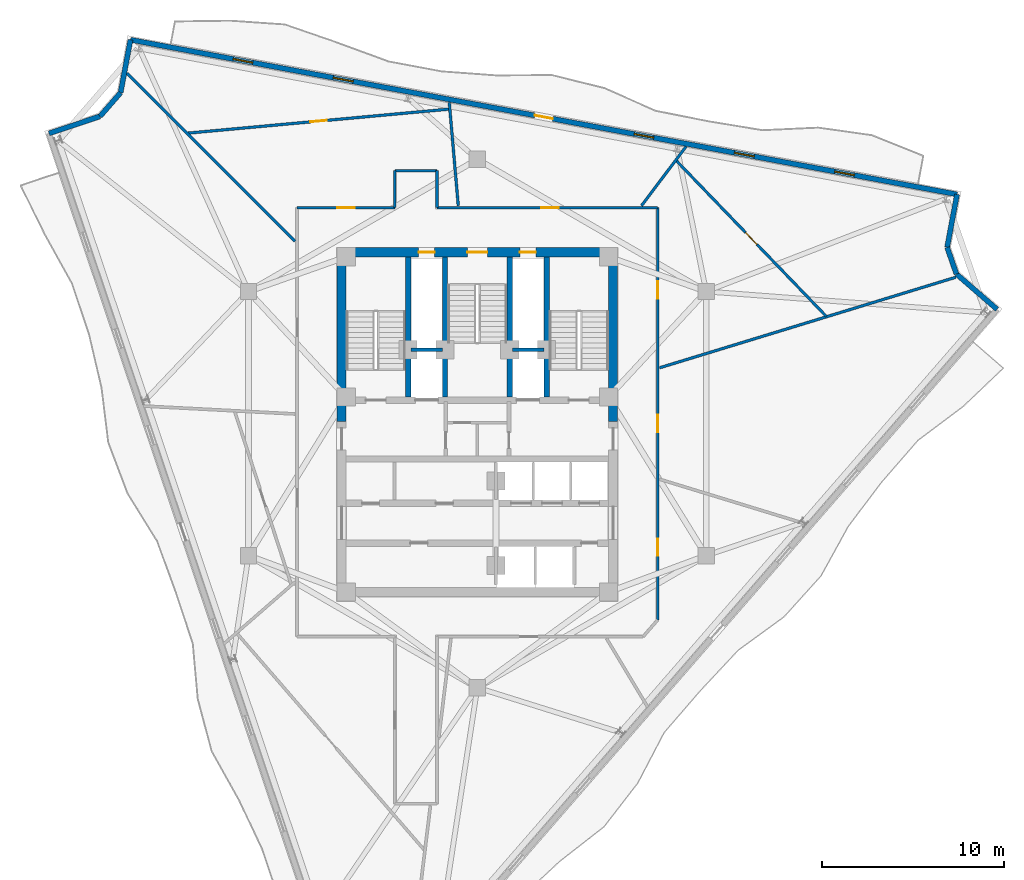
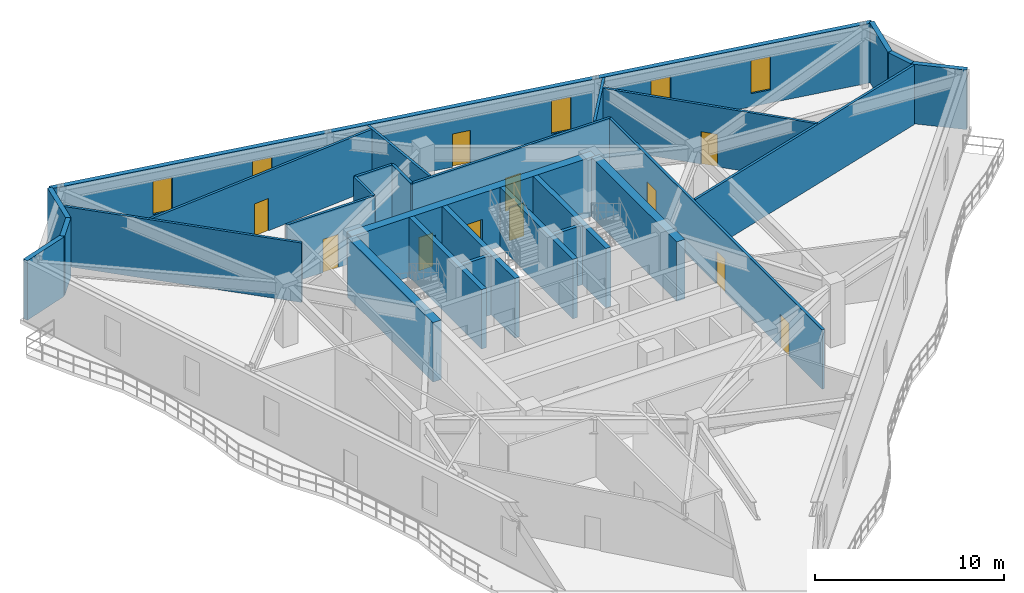
# One storey, part 6 of 11: 28 walls, 11 doors, 5 windows, 16 openings.
"""IFC4 building model written with IfcOpenShell, lengths in metres."""

from ifc_helpers import new_model, si_unit, direction, frame, frame_2d, origin, place, context, subcontext, project, spatial, rectangle, extrude, material, layer, layer_set, type_object, element, fill, save


model = new_model("IFC4")

# Units and contexts
model_context = context("Model", 3, precision=1e-05, world=origin(), true_north=direction((0.0, 1.0)))
body_context = subcontext(model_context, "Body", "Model", "MODEL_VIEW")
ifc_project = project(units=[si_unit("LENGTHUNIT", "METRE"), si_unit("AREAUNIT", "SQUARE_METRE"), si_unit("VOLUMEUNIT", "CUBIC_METRE"), si_unit("PLANEANGLEUNIT", "RADIAN"), si_unit("MASSUNIT", "GRAM", prefix="KILO")], contexts=[model_context])

# Site, building, storey
site_placement = place(None, origin())
site = spatial("IfcSite", under=ifc_project, at=site_placement, CompositionType="ELEMENT")
building_placement = place(site_placement, origin())
building = spatial("IfcBuilding", under=site, at=building_placement, Name="Apsidion Concourse Tower", CompositionType="ELEMENT")
storey_placement = place(building_placement, frame((0.0, 0.0, 281.89990234375)))
storey = spatial("IfcBuildingStorey", under=building, at=storey_placement, Name="L66", CompositionType="ELEMENT", Elevation=281.89990234375)

# Wall, openings, door, windows
ifc_material_1 = material(Name="Precast concrete C40/50", Category="concrete")
ifc_layer_1 = layer(ifc_material_1, 0.280029296875)
ifc_layer_set_1 = layer_set([ifc_layer_1], Name="Precast concrete C40/50")
wall_type_1 = type_object("IfcWallType", Name="WL-EXT-280", PredefinedType="STANDARD", material=ifc_layer_set_1)
wall_1_placement = place(storey_placement, frame((-19.04150390625, 21.06640625, 0.0), z_axis=(0.0, 0.0, 1.0), x_axis=(0.982948140881, -0.183882985453, 0.0)))
wall_1 = element("IfcWall", 1, at=wall_1_placement, inside=storey, type_object=wall_type_1, Name="L66 Precast Stone Facade Wall 01", PredefinedType="STANDARD", context=body_context, shape_type="SweptSolid", body=[
    extrude(rectangle(XDim=46.16259765625, YDim=0.280029296875, at=frame_2d((23.081298828125, 0.0))), origin(), (0.0, 0.0, 1.0), 3.85009765625),
])
opening_1_placement = place(wall_1_placement, frame((22.581298828125, 0.0, 0.0)))
opening_1 = element("IfcOpeningElement", 2, at=opening_1_placement, cuts=wall_1, Name="Opening D-T1L", PredefinedType="OPENING", context=body_context, shape_type="SweptSolid", body=[
    extrude(rectangle(XDim=1.0, YDim=2.14990234375, at=frame_2d((0.5, 1.074951171875))), frame((0.0, 0.14990234375, 0.0), z_axis=(0.0, -1.0, 0.0), x_axis=(1.0, 0.0, 0.0)), (0.0, 0.0, 1.0), 0.300048828125),
])
opening_2_placement = place(wall_1_placement, frame((5.731201171875, 0.0, 0.85009765625)))
opening_2 = element("IfcOpeningElement", 3, at=opening_2_placement, cuts=wall_1, Name="Opening WN-07", PredefinedType="OPENING", context=body_context, shape_type="SweptSolid", body=[
    extrude(rectangle(XDim=1.10009765625, YDim=2.14990234375, at=frame_2d((0.550048828125, 1.074951171875))), frame((0.0, 0.14990234375, 0.0), z_axis=(0.0, -1.0, 0.0), x_axis=(1.0, 0.0, 0.0)), (0.0, 0.0, 1.0), 0.300048828125),
])
opening_3_placement = place(wall_1_placement, frame((11.331298828125, 0.0, 0.85009765625)))
opening_3 = element("IfcOpeningElement", 4, at=opening_3_placement, cuts=wall_1, Name="Opening WN-07", PredefinedType="OPENING", context=body_context, shape_type="SweptSolid", body=[
    extrude(rectangle(XDim=1.10009765625, YDim=2.14990234375, at=frame_2d((0.550048828125, 1.074951171875))), frame((0.0, 0.14990234375, 0.0), z_axis=(0.0, -1.0, 0.0), x_axis=(1.0, 0.0, 0.0)), (0.0, 0.0, 1.0), 0.300048828125),
])
opening_4_placement = place(wall_1_placement, frame((28.13134765625, 0.0, 0.85009765625)))
opening_4 = element("IfcOpeningElement", 5, at=opening_4_placement, cuts=wall_1, Name="Opening WN-07", PredefinedType="OPENING", context=body_context, shape_type="SweptSolid", body=[
    extrude(rectangle(XDim=1.10009765625, YDim=2.14990234375, at=frame_2d((0.550048828125, 1.074951171875))), frame((0.0, 0.14990234375, 0.0), z_axis=(0.0, -1.0, 0.0), x_axis=(1.0, 0.0, 0.0)), (0.0, 0.0, 1.0), 0.300048828125),
])
opening_5_placement = place(wall_1_placement, frame((33.731201171875, 0.0, 0.85009765625)))
opening_5 = element("IfcOpeningElement", 6, at=opening_5_placement, cuts=wall_1, Name="Opening WN-07", PredefinedType="OPENING", context=body_context, shape_type="SweptSolid", body=[
    extrude(rectangle(XDim=1.10009765625, YDim=2.14990234375, at=frame_2d((0.550048828125, 1.074951171875))), frame((0.0, 0.14990234375, 0.0), z_axis=(0.0, -1.0, 0.0), x_axis=(1.0, 0.0, 0.0)), (0.0, 0.0, 1.0), 0.300048828125),
])
opening_6_placement = place(wall_1_placement, frame((39.331298828125, 0.0, 0.85009765625)))
opening_6 = element("IfcOpeningElement", 7, at=opening_6_placement, cuts=wall_1, Name="Opening WN-07", PredefinedType="OPENING", context=body_context, shape_type="SweptSolid", body=[
    extrude(rectangle(XDim=1.10009765625, YDim=2.14990234375, at=frame_2d((0.550048828125, 1.074951171875))), frame((0.0, 0.14990234375, 0.0), z_axis=(0.0, -1.0, 0.0), x_axis=(1.0, 0.0, 0.0)), (0.0, 0.0, 1.0), 0.300048828125),
])
ifc_material_2 = material(Name="Anodised aluminium EN AW-6063 T6", Category="aluminium")
door_type_1 = type_object("IfcDoorType", Name="DR-TER-1022L", OperationType="SINGLE_SWING_LEFT", PredefinedType="DOOR", material=ifc_material_2)
door_1_placement = place(opening_1_placement, origin())
door_1 = element("IfcDoor", 8, at=door_1_placement, inside=storey, type_object=door_type_1, Name="L66 Balcony Access Door 3", OperationType="SINGLE_SWING_LEFT", OverallHeight=2.14990234375, OverallWidth=1.0, PredefinedType="DOOR", context=body_context, shape_type="SweptSolid", body=[
    extrude(rectangle(XDim=1.0, YDim=2.14990234375, at=frame_2d((0.5, 1.074951171875))), frame((0.0, 0.02490234375, 0.0), z_axis=(0.0, -1.0, 0.0), x_axis=(1.0, 0.0, 0.0)), (0.0, 0.0, 1.0), 0.050048828125),
])
fill(opening_1, door_1)
ifc_material_3 = material(Name="Insulated laminated low-E glass", Category="glass")
window_type = type_object("IfcWindowType", Name="WN-OFF-1123", PartitioningType="SINGLE_PANEL", PredefinedType="WINDOW", material=ifc_material_3)
window_1_placement = place(opening_2_placement, origin())
window_1 = element("IfcWindow", 9, at=window_1_placement, inside=storey, type_object=window_type, Name="L66 Punched Facade Window 1-01", OverallHeight=2.14990234375, OverallWidth=1.10009765625, PartitioningType="SINGLE_PANEL", PredefinedType="WINDOW", context=body_context, shape_type="SweptSolid", body=[
    extrude(rectangle(XDim=1.10009765625, YDim=2.14990234375, at=frame_2d((0.550048828125, 1.074951171875))), frame((0.0, 0.030029296875, 0.0), z_axis=(0.0, -1.0, 0.0), x_axis=(1.0, 0.0, 0.0)), (0.0, 0.0, 1.0), 0.06005859375),
])
fill(opening_2, window_1)
window_2_placement = place(opening_3_placement, origin())
window_2 = element("IfcWindow", 10, at=window_2_placement, inside=storey, type_object=window_type, Name="L66 Punched Facade Window 1-02", OverallHeight=2.14990234375, OverallWidth=1.10009765625, PartitioningType="SINGLE_PANEL", PredefinedType="WINDOW", context=body_context, shape_type="SweptSolid", body=[
    extrude(rectangle(XDim=1.10009765625, YDim=2.14990234375, at=frame_2d((0.550048828125, 1.074951171875))), frame((0.0, 0.030029296875, 0.0), z_axis=(0.0, -1.0, 0.0), x_axis=(1.0, 0.0, 0.0)), (0.0, 0.0, 1.0), 0.06005859375),
])
fill(opening_3, window_2)
window_3_placement = place(opening_4_placement, origin())
window_3 = element("IfcWindow", 11, at=window_3_placement, inside=storey, type_object=window_type, Name="L66 Punched Facade Window 1-05", OverallHeight=2.14990234375, OverallWidth=1.10009765625, PartitioningType="SINGLE_PANEL", PredefinedType="WINDOW", context=body_context, shape_type="SweptSolid", body=[
    extrude(rectangle(XDim=1.10009765625, YDim=2.14990234375, at=frame_2d((0.550048828125, 1.074951171875))), frame((0.0, 0.030029296875, 0.0), z_axis=(0.0, -1.0, 0.0), x_axis=(1.0, 0.0, 0.0)), (0.0, 0.0, 1.0), 0.06005859375),
])
fill(opening_4, window_3)
window_4_placement = place(opening_5_placement, origin())
window_4 = element("IfcWindow", 12, at=window_4_placement, inside=storey, type_object=window_type, Name="L66 Punched Facade Window 1-06", OverallHeight=2.14990234375, OverallWidth=1.10009765625, PartitioningType="SINGLE_PANEL", PredefinedType="WINDOW", context=body_context, shape_type="SweptSolid", body=[
    extrude(rectangle(XDim=1.10009765625, YDim=2.14990234375, at=frame_2d((0.550048828125, 1.074951171875))), frame((0.0, 0.030029296875, 0.0), z_axis=(0.0, -1.0, 0.0), x_axis=(1.0, 0.0, 0.0)), (0.0, 0.0, 1.0), 0.06005859375),
])
fill(opening_5, window_4)
window_5_placement = place(opening_6_placement, origin())
window_5 = element("IfcWindow", 13, at=window_5_placement, inside=storey, type_object=window_type, Name="L66 Punched Facade Window 1-07", OverallHeight=2.14990234375, OverallWidth=1.10009765625, PartitioningType="SINGLE_PANEL", PredefinedType="WINDOW", context=body_context, shape_type="SweptSolid", body=[
    extrude(rectangle(XDim=1.10009765625, YDim=2.14990234375, at=frame_2d((0.550048828125, 1.074951171875))), frame((0.0, 0.030029296875, 0.0), z_axis=(0.0, -1.0, 0.0), x_axis=(1.0, 0.0, 0.0)), (0.0, 0.0, 1.0), 0.06005859375),
])
fill(opening_6, window_5)

# Walls
wall_2_placement = place(storey_placement, frame((26.333984375, 12.577880859375, 0.0), z_axis=(0.0, 0.0, 1.0), x_axis=(-0.183929325972, -0.982939470694, 0.0)))
element("IfcWall", 14, at=wall_2_placement, inside=storey, type_object=wall_type_1, Name="L66 Precast Stone Facade Wall 02", PredefinedType="STANDARD", context=body_context, shape_type="SweptSolid", body=[
    extrude(rectangle(XDim=2.95458984375, YDim=0.280029296875, at=frame_2d((1.477294921875, 0.0))), origin(), (0.0, 0.0, 1.0), 3.85009765625),
])
wall_3_placement = place(storey_placement, frame((25.79052734375, 9.673583984375, 0.0), z_axis=(0.0, 0.0, 1.0), x_axis=(0.328922695325, -0.944356850189, 0.0)))
element("IfcWall", 15, at=wall_3_placement, inside=storey, type_object=wall_type_1, Name="L66 Precast Stone Facade Wall 03", PredefinedType="STANDARD", context=body_context, shape_type="SweptSolid", body=[
    extrude(rectangle(XDim=1.55419921875, YDim=0.280029296875, at=frame_2d((0.777099609375, 0.0))), origin(), (0.0, 0.0, 1.0), 3.85009765625),
])
wall_4_placement = place(storey_placement, frame((26.3017578125, 8.205810546875, 0.0), z_axis=(0.0, 0.0, 1.0), x_axis=(0.754717590568, -0.656049814028, 0.0)))
element("IfcWall", 16, at=wall_4_placement, inside=storey, type_object=wall_type_1, Name="L66 Precast Stone Facade Wall 04", PredefinedType="STANDARD", context=body_context, shape_type="SweptSolid", body=[
    extrude(rectangle(XDim=2.954345703125, YDim=0.280029296875, at=frame_2d((1.47705078125, 0.0))), origin(), (0.0, 0.0, 1.0), 3.85009765625),
])
wall_5_placement = place(storey_placement, frame((-23.511474609375, 15.92431640625, 0.0), z_axis=(0.0, 0.0, 1.0), x_axis=(0.9478040536, 0.31885337693, 0.0)))
element("IfcWall", 17, at=wall_5_placement, inside=storey, type_object=wall_type_1, Name="L66 Precast Stone Facade Wall 10", PredefinedType="STANDARD", context=body_context, shape_type="SweptSolid", body=[
    extrude(rectangle(XDim=2.95556640625, YDim=0.280029296875, at=frame_2d((1.477783203125, 0.0))), origin(), (0.0, 0.0, 1.0), 3.85009765625),
])
wall_6_placement = place(storey_placement, frame((-20.710205078125, 16.86669921875, 0.0), z_axis=(0.0, 0.0, 1.0), x_axis=(0.656062411204, 0.754706640096, 0.0)))
element("IfcWall", 18, at=wall_6_placement, inside=storey, type_object=wall_type_1, Name="L66 Precast Stone Facade Wall 11", PredefinedType="STANDARD", context=body_context, shape_type="SweptSolid", body=[
    extrude(rectangle(XDim=1.715087890625, YDim=0.280029296875, at=frame_2d((0.857421875, 0.0))), origin(), (0.0, 0.0, 1.0), 3.85009765625),
])
wall_7_placement = place(storey_placement, frame((-19.5849609375, 18.1611328125, 0.0), z_axis=(0.0, 0.0, 1.0), x_axis=(0.183869591509, 0.982950646431, 0.0)))
element("IfcWall", 19, at=wall_7_placement, inside=storey, type_object=wall_type_1, Name="L66 Precast Stone Facade Wall 12", PredefinedType="STANDARD", context=body_context, shape_type="SweptSolid", body=[
    extrude(rectangle(XDim=2.95556640625, YDim=0.280029296875, at=frame_2d((1.477783203125, 0.0))), origin(), (0.0, 0.0, 1.0), 3.85009765625),
])

# Wall, opening, door
ifc_material_4 = material(Name="Gypsum plasterboard partition")
ifc_layer_2 = layer(ifc_material_4, 0.14990234375)
ifc_layer_set_2 = layer_set([ifc_layer_2], Name="Gypsum plasterboard partition")
wall_type_2 = type_object("IfcWallType", Name="WL-INT-PAR-150", PredefinedType="PARTITIONING", material=ifc_layer_set_2)
wall_8_placement = place(storey_placement, frame((-9.89990234375, 11.85009765625, 0.0), z_axis=(0.0, 0.0, 1.0), x_axis=(1.0, 0.0, 0.0)))
wall_8 = element("IfcWall", 20, at=wall_8_placement, inside=storey, type_object=wall_type_2, Name="L66 Interior Partition WL-L66-CORR-03", PredefinedType="PARTITIONING", context=body_context, shape_type="SweptSolid", body=[
    extrude(rectangle(XDim=5.369873046875, YDim=0.14990234375, at=frame_2d((2.68505859375, 0.0))), origin(), (0.0, 0.0, 1.0), 3.85009765625),
])
opening_7_placement = place(wall_8_placement, frame((2.2099609375, 0.0, 0.0)))
opening_7 = element("IfcOpeningElement", 21, at=opening_7_placement, cuts=wall_8, Name="Opening D-01R", PredefinedType="OPENING", context=body_context, shape_type="SweptSolid", body=[
    extrude(rectangle(XDim=0.949951171875, YDim=2.14990234375, at=frame_2d((0.47509765625, 1.074951171875))), frame((0.0, 0.0849609375, 0.0), z_axis=(0.0, -1.0, 0.0), x_axis=(1.0, 0.0, 0.0)), (0.0, 0.0, 1.0), 0.169921875),
])
ifc_material_5 = material(Name="Brushed stainless steel 316", Category="steel")
door_type_2 = type_object("IfcDoorType", Name="DR-INT-D01R", OperationType="SINGLE_SWING_RIGHT", PredefinedType="DOOR", material=ifc_material_5)
door_2_placement = place(opening_7_placement, origin())
door_2 = element("IfcDoor", 22, at=door_2_placement, inside=storey, type_object=door_type_2, Name="L66 Corridor Entry Door 08", OperationType="SINGLE_SWING_RIGHT", OverallHeight=2.14990234375, OverallWidth=0.949951171875, PredefinedType="DOOR", context=body_context, shape_type="SweptSolid", body=[
    extrude(rectangle(XDim=0.949951171875, YDim=2.14990234375, at=frame_2d((0.47509765625, 1.074951171875))), frame((0.0, 0.02490234375, 0.0), z_axis=(0.0, -1.0, 0.0), x_axis=(1.0, 0.0, 0.0)), (0.0, 0.0, 1.0), 0.050048828125),
])
fill(opening_7, door_2)

# Walls
wall_9_placement = place(storey_placement, frame((-4.530029296875, 11.85009765625, 0.0), z_axis=(0.0, 0.0, 1.0), x_axis=(0.0, 1.0, 0.0)))
element("IfcWall", 23, at=wall_9_placement, inside=storey, type_object=wall_type_2, Name="L66 Interior Partition WL-L66-CORR-04", PredefinedType="PARTITIONING", context=body_context, shape_type="SweptSolid", body=[
    extrude(rectangle(XDim=2.02978515625, YDim=0.14990234375, at=frame_2d((1.014892578125, 0.0))), origin(), (0.0, 0.0, 1.0), 3.85009765625),
])
wall_10_placement = place(storey_placement, frame((-4.530029296875, 13.8798828125, 0.0), z_axis=(0.0, 0.0, 1.0), x_axis=(1.0, 0.0, 0.0)))
element("IfcWall", 24, at=wall_10_placement, inside=storey, type_object=wall_type_2, Name="L66 Interior Partition WL-L66-CORR-05", PredefinedType="PARTITIONING", context=body_context, shape_type="SweptSolid", body=[
    extrude(rectangle(XDim=2.31005859375, YDim=0.14990234375, at=frame_2d((1.155029296875, 0.0))), origin(), (0.0, 0.0, 1.0), 3.85009765625),
])
wall_11_placement = place(storey_placement, frame((-2.219970703125, 13.8798828125, 0.0), z_axis=(0.0, 0.0, 1.0), x_axis=(0.0, -1.0, 0.0)))
element("IfcWall", 25, at=wall_11_placement, inside=storey, type_object=wall_type_2, Name="L66 Interior Partition WL-L66-CORR-06", PredefinedType="PARTITIONING", context=body_context, shape_type="SweptSolid", body=[
    extrude(rectangle(XDim=2.02978515625, YDim=0.14990234375, at=frame_2d((1.014892578125, 0.0))), origin(), (0.0, 0.0, 1.0), 3.85009765625),
])

# Wall, opening, door
wall_12_placement = place(storey_placement, frame((-2.219970703125, 11.85009765625, 0.0), z_axis=(0.0, 0.0, 1.0), x_axis=(1.0, 0.0, 0.0)))
wall_12 = element("IfcWall", 26, at=wall_12_placement, inside=storey, type_object=wall_type_2, Name="L66 Interior Partition WL-L66-CORR-07", PredefinedType="PARTITIONING", context=body_context, shape_type="SweptSolid", body=[
    extrude(rectangle(XDim=12.119873046875, YDim=0.14990234375, at=frame_2d((6.06005859375, 0.0))), origin(), (0.0, 0.0, 1.0), 3.85009765625),
])
opening_8_placement = place(wall_12_placement, frame((5.726806640625, 0.0, 0.0)))
opening_8 = element("IfcOpeningElement", 27, at=opening_8_placement, cuts=wall_12, Name="Opening D-01L", PredefinedType="OPENING", context=body_context, shape_type="SweptSolid", body=[
    extrude(rectangle(XDim=0.949951171875, YDim=2.14990234375, at=frame_2d((0.47509765625, 1.074951171875))), frame((0.0, 0.0849609375, 0.0), z_axis=(0.0, -1.0, 0.0), x_axis=(1.0, 0.0, 0.0)), (0.0, 0.0, 1.0), 0.169921875),
])
door_type_3 = type_object("IfcDoorType", Name="DR-INT-D01L", OperationType="SINGLE_SWING_LEFT", PredefinedType="DOOR", material=ifc_material_5)
door_3_placement = place(opening_8_placement, origin())
door_3 = element("IfcDoor", 28, at=door_3_placement, inside=storey, type_object=door_type_3, Name="L66 Corridor Entry Door 07", OperationType="SINGLE_SWING_LEFT", OverallHeight=2.14990234375, OverallWidth=0.949951171875, PredefinedType="DOOR", context=body_context, shape_type="SweptSolid", body=[
    extrude(rectangle(XDim=0.949951171875, YDim=2.14990234375, at=frame_2d((0.47509765625, 1.074951171875))), frame((0.0, 0.02490234375, 0.0), z_axis=(0.0, -1.0, 0.0), x_axis=(1.0, 0.0, 0.0)), (0.0, 0.0, 1.0), 0.050048828125),
])
fill(opening_8, door_3)

# Wall, openings, doors
wall_13_placement = place(storey_placement, frame((9.89990234375, 11.85009765625, 0.0), z_axis=(0.0, 0.0, 1.0), x_axis=(0.0, -1.0, 0.0)))
wall_13 = element("IfcWall", 29, at=wall_13_placement, inside=storey, type_object=wall_type_2, Name="L66 Interior Partition WL-L66-CORR-08", PredefinedType="PARTITIONING", context=body_context, shape_type="SweptSolid", body=[
    extrude(rectangle(XDim=22.633544921875, YDim=0.14990234375, at=frame_2d((11.31689453125, 0.0))), origin(), (0.0, 0.0, 1.0), 3.85009765625),
])
opening_9_placement = place(wall_13_placement, frame((18.166015625, 0.0, 0.0)))
opening_9 = element("IfcOpeningElement", 30, at=opening_9_placement, cuts=wall_13, Name="Opening D-01R", PredefinedType="OPENING", context=body_context, shape_type="SweptSolid", body=[
    extrude(rectangle(XDim=0.949951171875, YDim=2.14990234375, at=frame_2d((0.47509765625, 1.074951171875))), frame((0.0, 0.0849609375, 0.0), z_axis=(0.0, -1.0, 0.0), x_axis=(1.0, 0.0, 0.0)), (0.0, 0.0, 1.0), 0.169921875),
])
opening_10_placement = place(wall_13_placement, frame((11.3759765625, 0.0, 0.0)))
opening_10 = element("IfcOpeningElement", 31, at=opening_10_placement, cuts=wall_13, Name="Opening D-01L", PredefinedType="OPENING", context=body_context, shape_type="SweptSolid", body=[
    extrude(rectangle(XDim=0.949951171875, YDim=2.14990234375, at=frame_2d((0.47509765625, 1.074951171875))), frame((0.0, 0.0849609375, 0.0), z_axis=(0.0, -1.0, 0.0), x_axis=(1.0, 0.0, 0.0)), (0.0, 0.0, 1.0), 0.169921875),
])
opening_11_placement = place(wall_13_placement, frame((4.04931640625, 0.0, 0.0)))
opening_11 = element("IfcOpeningElement", 32, at=opening_11_placement, cuts=wall_13, Name="Opening D-01R", PredefinedType="OPENING", context=body_context, shape_type="SweptSolid", body=[
    extrude(rectangle(XDim=0.949951171875, YDim=2.14990234375, at=frame_2d((0.47509765625, 1.074951171875))), frame((0.0, 0.0849609375, 0.0), z_axis=(0.0, -1.0, 0.0), x_axis=(1.0, 0.0, 0.0)), (0.0, 0.0, 1.0), 0.169921875),
])
door_4_placement = place(opening_10_placement, origin())
door_4 = element("IfcDoor", 33, at=door_4_placement, inside=storey, type_object=door_type_3, Name="L66 Corridor Entry Door 05", OperationType="SINGLE_SWING_LEFT", OverallHeight=2.14990234375, OverallWidth=0.949951171875, PredefinedType="DOOR", context=body_context, shape_type="SweptSolid", body=[
    extrude(rectangle(XDim=0.949951171875, YDim=2.14990234375, at=frame_2d((0.47509765625, 1.074951171875))), frame((0.0, 0.02490234375, 0.0), z_axis=(0.0, -1.0, 0.0), x_axis=(1.0, 0.0, 0.0)), (0.0, 0.0, 1.0), 0.050048828125),
])
fill(opening_10, door_4)
door_5_placement = place(opening_9_placement, origin())
door_5 = element("IfcDoor", 34, at=door_5_placement, inside=storey, type_object=door_type_2, Name="L66 Corridor Entry Door 04", OperationType="SINGLE_SWING_RIGHT", OverallHeight=2.14990234375, OverallWidth=0.949951171875, PredefinedType="DOOR", context=body_context, shape_type="SweptSolid", body=[
    extrude(rectangle(XDim=0.949951171875, YDim=2.14990234375, at=frame_2d((0.47509765625, 1.074951171875))), frame((0.0, 0.02490234375, 0.0), z_axis=(0.0, -1.0, 0.0), x_axis=(1.0, 0.0, 0.0)), (0.0, 0.0, 1.0), 0.050048828125),
])
fill(opening_9, door_5)
door_6_placement = place(opening_11_placement, origin())
door_6 = element("IfcDoor", 35, at=door_6_placement, inside=storey, type_object=door_type_2, Name="L66 Corridor Entry Door 06", OperationType="SINGLE_SWING_RIGHT", OverallHeight=2.14990234375, OverallWidth=0.949951171875, PredefinedType="DOOR", context=body_context, shape_type="SweptSolid", body=[
    extrude(rectangle(XDim=0.949951171875, YDim=2.14990234375, at=frame_2d((0.47509765625, 1.074951171875))), frame((0.0, 0.02490234375, 0.0), z_axis=(0.0, -1.0, 0.0), x_axis=(1.0, 0.0, 0.0)), (0.0, 0.0, 1.0), 0.050048828125),
])
fill(opening_11, door_6)

# Walls
wall_14_placement = place(storey_placement, frame((10.0048828125, 3.058837890625, 0.0), z_axis=(0.0, 0.0, 1.0), x_axis=(0.956303634786, 0.292375371902, 0.0)))
element("IfcWall", 36, at=wall_14_placement, inside=storey, type_object=wall_type_2, Name="L66 Interior Partition WL-L66-RAD-01-1", PredefinedType="PARTITIONING", context=body_context, shape_type="SweptSolid", body=[
    extrude(rectangle(XDim=17.00537109375, YDim=0.14990234375, at=frame_2d((8.502685546875, 0.0))), origin(), (0.0, 0.0, 1.0), 3.85009765625),
])
wall_15_placement = place(storey_placement, frame((9.0087890625, 11.955078125, 0.0), z_axis=(0.0, 0.0, 1.0), x_axis=(0.601813620509, 0.798636567013, 0.0)))
element("IfcWall", 37, at=wall_15_placement, inside=storey, type_object=wall_type_2, Name="L66 Interior Partition WL-L66-RAD-02-1", PredefinedType="PARTITIONING", context=body_context, shape_type="SweptSolid", body=[
    extrude(rectangle(XDim=4.0673828125, YDim=0.14990234375, at=frame_2d((2.03369140625, 0.0))), origin(), (0.0, 0.0, 1.0), 3.85009765625),
])
wall_16_placement = place(storey_placement, frame((-1.0458984375, 11.955078125, 0.0), z_axis=(0.0, 0.0, 1.0), x_axis=(-0.087176511024, 0.996192880885, 0.0)))
element("IfcWall", 38, at=wall_16_placement, inside=storey, type_object=wall_type_2, Name="L66 Interior Partition WL-L66-RAD-03-1", PredefinedType="PARTITIONING", context=body_context, shape_type="SweptSolid", body=[
    extrude(rectangle(XDim=5.701904296875, YDim=0.14990234375, at=frame_2d((2.85107421875, 0.0))), origin(), (0.0, 0.0, 1.0), 3.85009765625),
])
wall_17_placement = place(storey_placement, frame((-10.0048828125, 10.0048828125, 0.0), z_axis=(0.0, 0.0, 1.0), x_axis=(-0.707106781187, 0.707106781187, 0.0)))
element("IfcWall", 39, at=wall_17_placement, inside=storey, type_object=wall_type_2, Name="L66 Interior Partition WL-L66-RAD-04-1", PredefinedType="PARTITIONING", context=body_context, shape_type="SweptSolid", body=[
    extrude(rectangle(XDim=13.043212890625, YDim=0.14990234375, at=frame_2d((6.521484375, 0.0))), origin(), (0.0, 0.0, 1.0), 3.85009765625),
])

# Wall, opening, door
wall_18_placement = place(storey_placement, frame((19.15625, 5.8828125, 0.0), z_axis=(0.0, 0.0, 1.0), x_axis=(-0.693802772862, 0.720165059114, 0.0)))
wall_18 = element("IfcWall", 40, at=wall_18_placement, inside=storey, type_object=wall_type_2, Name="L66 Interior Partition WL-L66-CHD-OFS05", PredefinedType="PARTITIONING", context=body_context, shape_type="SweptSolid", body=[
    extrude(rectangle(XDim=11.8818359375, YDim=0.14990234375, at=frame_2d((5.94091796875, 0.0))), origin(), (0.0, 0.0, 1.0), 3.85009765625),
])
opening_12_placement = place(wall_18_placement, frame((5.490966796875, 0.0, 0.0)))
opening_12 = element("IfcOpeningElement", 41, at=opening_12_placement, cuts=wall_18, Name="Opening D-02R", PredefinedType="OPENING", context=body_context, shape_type="SweptSolid", body=[
    extrude(rectangle(XDim=0.89990234375, YDim=2.10009765625, at=frame_2d((0.449951171875, 1.050048828125))), frame((0.0, 0.0849609375, 0.0), z_axis=(0.0, -1.0, 0.0), x_axis=(1.0, 0.0, 0.0)), (0.0, 0.0, 1.0), 0.169921875),
])
door_type_4 = type_object("IfcDoorType", Name="DR-INT-D02R", OperationType="SINGLE_SWING_RIGHT", PredefinedType="DOOR", material=ifc_material_2)
door_7_placement = place(opening_12_placement, origin())
door_7 = element("IfcDoor", 42, at=door_7_placement, inside=storey, type_object=door_type_4, Name="L66 Suite Connecting Door OFS05", OperationType="SINGLE_SWING_RIGHT", OverallHeight=2.10009765625, OverallWidth=0.89990234375, PredefinedType="DOOR", context=body_context, shape_type="SweptSolid", body=[
    extrude(rectangle(XDim=0.89990234375, YDim=2.10009765625, at=frame_2d((0.449951171875, 1.050048828125))), frame((0.0, 0.02490234375, 0.0), z_axis=(0.0, -1.0, 0.0), x_axis=(1.0, 0.0, 0.0)), (0.0, 0.0, 1.0), 0.050048828125),
])
fill(opening_12, door_7)

wall_19_placement = place(storey_placement, frame((-1.535400390625, 17.26123046875, 0.0), z_axis=(0.0, 0.0, 1.0), x_axis=(-0.995795553335, -0.091603580483, 0.0)))
wall_19 = element("IfcWall", 43, at=wall_19_placement, inside=storey, type_object=wall_type_2, Name="L66 Interior Partition WL-L66-CHD-OFS07", PredefinedType="PARTITIONING", context=body_context, shape_type="SweptSolid", body=[
    extrude(rectangle(XDim=14.42919921875, YDim=0.14990234375, at=frame_2d((7.214599609375, 0.0))), origin(), (0.0, 0.0, 1.0), 3.85009765625),
])
opening_13_placement = place(wall_19_placement, frame((6.7646484375, 0.0, 0.0)))
opening_13 = element("IfcOpeningElement", 44, at=opening_13_placement, cuts=wall_19, Name="Opening D-02R", PredefinedType="OPENING", context=body_context, shape_type="SweptSolid", body=[
    extrude(rectangle(XDim=0.89990234375, YDim=2.10009765625, at=frame_2d((0.449951171875, 1.050048828125))), frame((0.0, 0.0849609375, 0.0), z_axis=(0.0, -1.0, 0.0), x_axis=(1.0, 0.0, 0.0)), (0.0, 0.0, 1.0), 0.169921875),
])
door_8_placement = place(opening_13_placement, origin())
door_8 = element("IfcDoor", 45, at=door_8_placement, inside=storey, type_object=door_type_4, Name="L66 Suite Connecting Door OFS07", OperationType="SINGLE_SWING_RIGHT", OverallHeight=2.10009765625, OverallWidth=0.89990234375, PredefinedType="DOOR", context=body_context, shape_type="SweptSolid", body=[
    extrude(rectangle(XDim=0.89990234375, YDim=2.10009765625, at=frame_2d((0.449951171875, 1.050048828125))), frame((0.0, 0.02490234375, 0.0), z_axis=(0.0, -1.0, 0.0), x_axis=(1.0, 0.0, 0.0)), (0.0, 0.0, 1.0), 0.050048828125),
])
fill(opening_13, door_8)

# Walls
ifc_layer_3 = layer(ifc_material_4, 0.199951171875)
ifc_layer_set_3 = layer_set([ifc_layer_3], Name="Gypsum plasterboard partition")
wall_type_3 = type_object("IfcWallType", Name="WL-INT-PAR-200", PredefinedType="PARTITIONING", material=ifc_layer_set_3)
for number, where, z_axis, x_axis, name in (
    (46, (-3.64990234375, 4.050048828125, 0.0), (0.0, 0.0, 1.0), (1.0, 0.0, 0.0), "L66 Interior Partition WL-L66-FF1-N"),
    (47, (1.919921875, 4.050048828125, 0.0), (0.0, 0.0, 1.0), (1.0, 0.0, 0.0), "L66 Interior Partition WL-L66-FF2-N"),
):
    element("IfcWall", number, at=place(storey_placement, frame(where, z_axis=z_axis, x_axis=x_axis)), inside=storey, type_object=wall_type_3, Name=name, PredefinedType="PARTITIONING", context=body_context, shape_type="SweptSolid", body=[
        extrude(rectangle(XDim=1.72998046875, YDim=0.199951171875, at=frame_2d((0.864990234375, 0.0))), origin(), (0.0, 0.0, 1.0), 3.85009765625),
    ])
ifc_material_6 = material(Name="Concrete C50/60", Category="concrete")
ifc_layer_4 = layer(ifc_material_6, 0.300048828125)
ifc_layer_set_4 = layer_set([ifc_layer_4], Name="Concrete C50/60")
wall_type_4 = type_object("IfcWallType", Name="WL-SH-300", PredefinedType="SHEAR", material=ifc_layer_set_4)
for number, where, z_axis, x_axis, name in (
    (48, (-3.800048828125, 1.449951171875, 0.0), (0.0, 0.0, 1.0), (0.0, 1.0, 0.0), "L66 Central Core Shear Wall V1"),
    (49, (-1.77490234375, 1.449951171875, 0.0), (0.0, 0.0, 1.0), (0.0, 1.0, 0.0), "L66 Central Core Shear Wall V2"),
    (50, (1.77490234375, 1.449951171875, 0.0), (0.0, 0.0, 1.0), (0.0, 1.0, 0.0), "L66 Central Core Shear Wall V3"),
    (51, (3.800048828125, 1.449951171875, 0.0), (0.0, 0.0, 1.0), (0.0, 1.0, 0.0), "L66 Central Core Shear Wall V4"),
):
    element("IfcWall", number, at=place(storey_placement, frame(where, z_axis=z_axis, x_axis=x_axis)), inside=storey, type_object=wall_type_4, Name=name, PredefinedType="SHEAR", context=body_context, shape_type="SweptSolid", body=[
        extrude(rectangle(XDim=7.699951171875, YDim=0.300048828125, at=frame_2d((3.85009765625, 0.0))), origin(), (0.0, 0.0, 1.0), 3.85009765625),
    ])

# Wall, openings, doors
ifc_layer_5 = layer(ifc_material_6, 0.5)
ifc_layer_set_5 = layer_set([ifc_layer_5], Name="Concrete C50/60")
wall_type_5 = type_object("IfcWallType", Name="WL-SH-500", PredefinedType="SHEAR", material=ifc_layer_set_5)
wall_20_placement = place(storey_placement, frame((-7.449951171875, 9.39990234375, 0.0), z_axis=(0.0, 0.0, 1.0), x_axis=(1.0, 0.0, 0.0)))
wall_20 = element("IfcWall", 52, at=wall_20_placement, inside=storey, type_object=wall_type_5, Name="L66 Central Core Shear Wall N", PredefinedType="SHEAR", context=body_context, shape_type="SweptSolid", body=[
    extrude(rectangle(XDim=14.89990234375, YDim=0.5, at=frame_2d((7.449951171875, 0.0))), origin(), (0.0, 0.0, 1.0), 3.85009765625),
])
opening_14_placement = place(wall_20_placement, frame((6.89990234375, 0.0, 0.0)))
opening_14 = element("IfcOpeningElement", 53, at=opening_14_placement, cuts=wall_20, Name="Opening D-STL", PredefinedType="OPENING", context=body_context, shape_type="SweptSolid", body=[
    extrude(rectangle(XDim=1.10009765625, YDim=2.14990234375, at=frame_2d((0.550048828125, 1.074951171875))), frame((0.0, 0.260009765625, 0.0), z_axis=(0.0, -1.0, 0.0), x_axis=(1.0, 0.0, 0.0)), (0.0, 0.0, 1.0), 0.52001953125),
])
opening_15_placement = place(wall_20_placement, frame((4.22998046875, 0.0, 0.0)))
opening_15 = element("IfcOpeningElement", 54, at=opening_15_placement, cuts=wall_20, Name="Opening D-05L", PredefinedType="OPENING", context=body_context, shape_type="SweptSolid", body=[
    extrude(rectangle(XDim=0.8798828125, YDim=2.14990234375, at=frame_2d((0.43994140625, 1.074951171875))), frame((0.0, 0.260009765625, 0.0), z_axis=(0.0, -1.0, 0.0), x_axis=(1.0, 0.0, 0.0)), (0.0, 0.0, 1.0), 0.52001953125),
])
opening_16_placement = place(wall_20_placement, frame((9.7900390625, 0.0, 0.0)))
opening_16 = element("IfcOpeningElement", 55, at=opening_16_placement, cuts=wall_20, Name="Opening D-05R", PredefinedType="OPENING", context=body_context, shape_type="SweptSolid", body=[
    extrude(rectangle(XDim=0.8798828125, YDim=2.14990234375, at=frame_2d((0.43994140625, 1.074951171875))), frame((0.0, 0.260009765625, 0.0), z_axis=(0.0, -1.0, 0.0), x_axis=(1.0, 0.0, 0.0)), (0.0, 0.0, 1.0), 0.52001953125),
])
door_type_5 = type_object("IfcDoorType", Name="DR-INT-D05L", OperationType="SINGLE_SWING_LEFT", PredefinedType="DOOR", material=ifc_material_5)
door_9_placement = place(opening_15_placement, origin())
door_9 = element("IfcDoor", 56, at=door_9_placement, inside=storey, type_object=door_type_5, Name="L66 Electrical Riser Shaft Access Door", OperationType="SINGLE_SWING_LEFT", OverallHeight=2.14990234375, OverallWidth=0.8798828125, PredefinedType="DOOR", context=body_context, shape_type="SweptSolid", body=[
    extrude(rectangle(XDim=0.8798828125, YDim=2.14990234375, at=frame_2d((0.43994140625, 1.074951171875))), frame((0.0, 0.02490234375, 0.0), z_axis=(0.0, -1.0, 0.0), x_axis=(1.0, 0.0, 0.0)), (0.0, 0.0, 1.0), 0.050048828125),
])
fill(opening_15, door_9)
door_type_6 = type_object("IfcDoorType", Name="DR-INT-D05R", OperationType="SINGLE_SWING_RIGHT", PredefinedType="DOOR", material=ifc_material_5)
door_10_placement = place(opening_16_placement, origin())
door_10 = element("IfcDoor", 57, at=door_10_placement, inside=storey, type_object=door_type_6, Name="L66 Mechanical Riser Shaft Access Door", OperationType="SINGLE_SWING_RIGHT", OverallHeight=2.14990234375, OverallWidth=0.8798828125, PredefinedType="DOOR", context=body_context, shape_type="SweptSolid", body=[
    extrude(rectangle(XDim=0.8798828125, YDim=2.14990234375, at=frame_2d((0.43994140625, 1.074951171875))), frame((0.0, 0.02490234375, 0.0), z_axis=(0.0, -1.0, 0.0), x_axis=(1.0, 0.0, 0.0)), (0.0, 0.0, 1.0), 0.050048828125),
])
fill(opening_16, door_10)
door_type_7 = type_object("IfcDoorType", Name="DR-INT-ST1L", OperationType="SINGLE_SWING_LEFT", PredefinedType="DOOR", material=ifc_material_5)
door_11_placement = place(opening_14_placement, origin())
door_11 = element("IfcDoor", 58, at=door_11_placement, inside=storey, type_object=door_type_7, Name="L66 Core Exit Stair ST3 Door", OperationType="SINGLE_SWING_LEFT", OverallHeight=2.14990234375, OverallWidth=1.10009765625, PredefinedType="DOOR", context=body_context, shape_type="SweptSolid", body=[
    extrude(rectangle(XDim=1.10009765625, YDim=2.14990234375, at=frame_2d((0.550048828125, 1.074951171875))), frame((0.0, 0.02490234375, 0.0), z_axis=(0.0, -1.0, 0.0), x_axis=(1.0, 0.0, 0.0)), (0.0, 0.0, 1.0), 0.050048828125),
])
fill(opening_14, door_11)

# Walls
for number, where, z_axis, x_axis, name in (
    (59, (-7.449951171875, 0.10009765625, 0.0), (0.0, 0.0, 1.0), (0.0, 1.0, 0.0), "L66 Central Core Shear Wall WN"),
    (60, (7.449951171875, 0.10009765625, 0.0), (0.0, 0.0, 1.0), (0.0, 1.0, 0.0), "L66 Central Core Shear Wall EN"),
):
    element("IfcWall", number, at=place(storey_placement, frame(where, z_axis=z_axis, x_axis=x_axis)), inside=storey, type_object=wall_type_5, Name=name, PredefinedType="SHEAR", context=body_context, shape_type="SweptSolid", body=[
        extrude(rectangle(XDim=9.0498046875, YDim=0.5, at=frame_2d((4.52490234375, 0.0))), origin(), (0.0, 0.0, 1.0), 3.85009765625),
    ])

save(model, "model.ifc")
